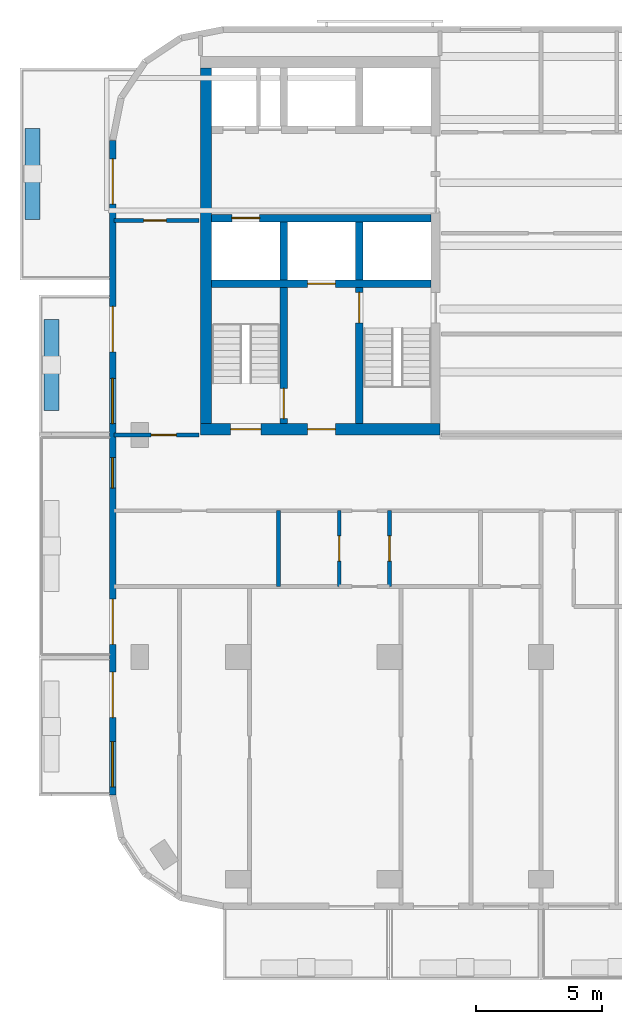
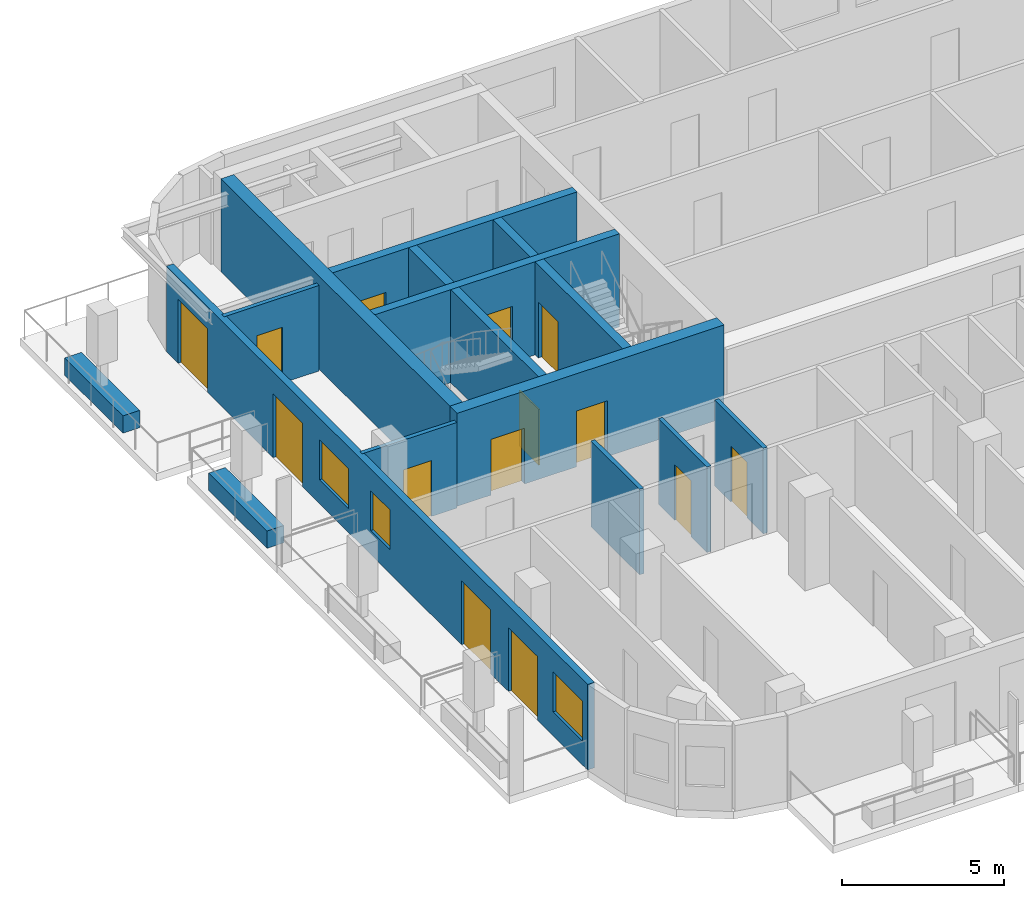
# One storey, part 3 of 11: 16 walls, 14 doors, 3 windows, 17 openings.
"""IFC4 building model written with IfcOpenShell, lengths in metres."""

from ifc_helpers import new_model, si_unit, direction, frame, frame_2d, origin, place, context, subcontext, project, spatial, rectangle, extrude, material, layer, layer_set, type_object, element, fill, save


model = new_model("IFC4")

# Units and contexts
model_context = context("Model", 3, precision=1e-05, world=origin(), true_north=direction((0.0, 1.0)))
body_context = subcontext(model_context, "Body", "Model", "MODEL_VIEW")
ifc_project = project(units=[si_unit("LENGTHUNIT", "METRE"), si_unit("AREAUNIT", "SQUARE_METRE"), si_unit("VOLUMEUNIT", "CUBIC_METRE"), si_unit("PLANEANGLEUNIT", "RADIAN"), si_unit("MASSUNIT", "GRAM", prefix="KILO")], contexts=[model_context])

# Site, building, storey
site_placement = place(None, origin())
site = spatial("IfcSite", under=ifc_project, at=site_placement, CompositionType="ELEMENT")
building_placement = place(site_placement, origin())
building = spatial("IfcBuilding", under=site, at=building_placement, Name="Torana Hotel and Residences", CompositionType="ELEMENT")
storey_placement = place(building_placement, frame((0.0, 0.0, 294.60009765625)))
storey = spatial("IfcBuildingStorey", under=building, at=storey_placement, Name="L78", CompositionType="ELEMENT", Elevation=294.60009765625)

# Wall, opening, door
ifc_material_1 = material(Name="Concrete C60/75", Category="concrete")
ifc_layer_1 = layer(ifc_material_1, 0.300048828125)
ifc_layer_set_1 = layer_set([ifc_layer_1], Name="CORE WALL 300 C60/75")
wall_type_1 = type_object("IfcWallType", Name="CORE WALL 300 C60/75", PredefinedType="SHEAR", material=ifc_layer_set_1)
wall_1_placement = place(storey_placement, frame((-19.050048828125, -6.39990234375, 0.0), z_axis=(0.0, 0.0, 1.0), x_axis=(1.0, 0.0, 0.0)))
wall_1 = element("IfcWall", 1, at=wall_1_placement, inside=storey, type_object=wall_type_1, Name="Core wall W row-S", PredefinedType="SHEAR", context=body_context, shape_type="SweptSolid", body=[
    extrude(rectangle(XDim=8.699951171875, YDim=0.300048828125, at=frame_2d((4.35009765625, 0.0))), origin(), (0.0, 0.0, 1.0), 3.5),
])
opening_1_placement = place(wall_1_placement, frame((0.800048828125, 0.0, 0.0)))
opening_1 = element("IfcOpeningElement", 2, at=opening_1_placement, cuts=wall_1, Name="Opening LD", PredefinedType="OPENING", context=body_context, shape_type="SweptSolid", body=[
    extrude(rectangle(XDim=1.10009765625, YDim=2.10009765625, at=frame_2d((0.550048828125, 1.050048828125))), frame((0.0, 0.159912109375, 0.0), z_axis=(0.0, -1.0, 0.0), x_axis=(1.0, 0.0, 0.0)), (0.0, 0.0, 1.0), 0.320068359375),
])
ifc_material_2 = material(Name="Stainless steel 316", Category="steel")
door_type_1 = type_object("IfcDoorType", Name="LIFT LANDING DOOR LD 1100x2100", OperationType="DOUBLE_DOOR_SLIDING", PredefinedType="USERDEFINED", material=ifc_material_2)
door_1_placement = place(opening_1_placement, origin())
door_1 = element("IfcDoor", 3, at=door_1_placement, inside=storey, type_object=door_type_1, Name="Lift landing door SV1 L78", ObjectType="LIFT LANDING DOOR", OperationType="DOUBLE_DOOR_SLIDING", OverallHeight=2.10009765625, OverallWidth=1.10009765625, PredefinedType="USERDEFINED", context=body_context, shape_type="SweptSolid", body=[
    extrude(rectangle(XDim=1.10009765625, YDim=2.10009765625, at=frame_2d((0.550048828125, 1.050048828125))), frame((0.0, 0.02490234375, 0.0), z_axis=(0.0, -1.0, 0.0), x_axis=(1.0, 0.0, 0.0)), (0.0, 0.0, 1.0), 0.050048828125),
])
fill(opening_1, door_1)

wall_2_placement = place(storey_placement, frame((-19.050048828125, -9.0, 0.0), z_axis=(0.0, 0.0, 1.0), x_axis=(1.0, 0.0, 0.0)))
wall_2 = element("IfcWall", 4, at=wall_2_placement, inside=storey, type_object=wall_type_1, Name="Core wall W band", PredefinedType="SHEAR", context=body_context, shape_type="SweptSolid", body=[
    extrude(rectangle(XDim=8.699951171875, YDim=0.300048828125, at=frame_2d((4.35009765625, 0.0))), origin(), (0.0, 0.0, 1.0), 3.5),
])
opening_2_placement = place(wall_2_placement, frame((3.800048828125, 0.0, 0.0)))
opening_2 = element("IfcOpeningElement", 5, at=opening_2_placement, cuts=wall_2, Name="Opening LD", PredefinedType="OPENING", context=body_context, shape_type="SweptSolid", body=[
    extrude(rectangle(XDim=1.10009765625, YDim=2.10009765625, at=frame_2d((0.550048828125, 1.050048828125))), frame((0.0, 0.159912109375, 0.0), z_axis=(0.0, -1.0, 0.0), x_axis=(1.0, 0.0, 0.0)), (0.0, 0.0, 1.0), 0.320068359375),
])
door_2_placement = place(opening_2_placement, origin())
door_2 = element("IfcDoor", 6, at=door_2_placement, inside=storey, type_object=door_type_1, Name="Lift landing door FF1 L78", ObjectType="LIFT LANDING DOOR", OperationType="DOUBLE_DOOR_SLIDING", OverallHeight=2.10009765625, OverallWidth=1.10009765625, PredefinedType="USERDEFINED", context=body_context, shape_type="SweptSolid", body=[
    extrude(rectangle(XDim=1.10009765625, YDim=2.10009765625, at=frame_2d((0.550048828125, 1.050048828125))), frame((0.0, 0.02490234375, 0.0), z_axis=(0.0, -1.0, 0.0), x_axis=(1.0, 0.0, 0.0)), (0.0, 0.0, 1.0), 0.050048828125),
])
fill(opening_2, door_2)

# Wall
wall_3_placement = place(storey_placement, frame((-13.199951171875, -8.85009765625, 0.0), z_axis=(0.0, 0.0, 1.0), x_axis=(0.0, 1.0, 0.0)))
element("IfcWall", 7, at=wall_3_placement, inside=storey, type_object=wall_type_1, Name="Core wall W x3.05-S", PredefinedType="SHEAR", context=body_context, shape_type="SweptSolid", body=[
    extrude(rectangle(XDim=2.300048828125, YDim=0.300048828125, at=frame_2d((1.14990234375, 0.0))), origin(), (0.0, 0.0, 1.0), 3.5),
])

# Wall, opening, door
wall_4_placement = place(storey_placement, frame((-13.199951171875, -14.550048828125, 0.0), z_axis=(0.0, 0.0, 1.0), x_axis=(0.0, 1.0, 0.0)))
wall_4 = element("IfcWall", 8, at=wall_4_placement, inside=storey, type_object=wall_type_1, Name="Core wall W x3.05-band", PredefinedType="SHEAR", context=body_context, shape_type="SweptSolid", body=[
    extrude(rectangle(XDim=5.400146484375, YDim=0.300048828125, at=frame_2d((2.7001953125, 0.0))), origin(), (0.0, 0.0, 1.0), 3.5),
])
opening_3_placement = place(wall_4_placement, frame((4.0, 0.0, 0.0)))
opening_3 = element("IfcOpeningElement", 9, at=opening_3_placement, cuts=wall_4, Name="Opening L78-08", PredefinedType="OPENING", context=body_context, shape_type="SweptSolid", body=[
    extrude(rectangle(XDim=1.199951171875, YDim=2.10009765625, at=frame_2d((0.60009765625, 1.050048828125))), frame((0.0, 0.159912109375, 0.0), z_axis=(0.0, -1.0, 0.0), x_axis=(1.0, 0.0, 0.0)), (0.0, 0.0, 1.0), 0.320068359375),
])
ifc_material_3 = material(Name="Steel S235", Category="steel")
door_type_2 = type_object("IfcDoorType", Name="STAIR FIRE DOOR D3 1200x2100", OperationType="SINGLE_SWING_LEFT", PredefinedType="DOOR", material=ifc_material_3)
door_3_placement = place(opening_3_placement, frame((0.60009765625, 0.0, 0.0), z_axis=(0.0, 0.0, 1.0), x_axis=(-1.0, 0.0, 0.0)))
door_3 = element("IfcDoor", 10, at=door_3_placement, inside=storey, type_object=door_type_2, Name="Stair-A-lobby door L78", OperationType="SINGLE_SWING_RIGHT", OverallHeight=2.10009765625, OverallWidth=1.199951171875, PredefinedType="DOOR", context=body_context, shape_type="SweptSolid", body=[
    extrude(rectangle(XDim=1.199951171875, YDim=2.10009765625, at=frame_2d((0.0, 1.050048828125))), frame((0.0, -0.02490234375, 0.0), z_axis=(0.0, 1.0, 0.0), x_axis=(-1.0, 0.0, 0.0)), (0.0, 0.0, 1.0), 0.050048828125),
])
fill(opening_3, door_3)

# Wall
wall_5_placement = place(storey_placement, frame((-16.199951171875, -8.85009765625, 0.0), z_axis=(0.0, 0.0, 1.0), x_axis=(0.0, 1.0, 0.0)))
element("IfcWall", 11, at=wall_5_placement, inside=storey, type_object=wall_type_1, Name="Core wall W x6.05-S", PredefinedType="SHEAR", context=body_context, shape_type="SweptSolid", body=[
    extrude(rectangle(XDim=2.300048828125, YDim=0.300048828125, at=frame_2d((1.14990234375, 0.0))), origin(), (0.0, 0.0, 1.0), 3.5),
])

# Wall, opening, door
wall_6_placement = place(storey_placement, frame((-16.199951171875, -14.550048828125, 0.0), z_axis=(0.0, 0.0, 1.0), x_axis=(0.0, 1.0, 0.0)))
wall_6 = element("IfcWall", 12, at=wall_6_placement, inside=storey, type_object=wall_type_1, Name="Core wall W x6.05-band", PredefinedType="SHEAR", context=body_context, shape_type="SweptSolid", body=[
    extrude(rectangle(XDim=5.400146484375, YDim=0.300048828125, at=frame_2d((2.7001953125, 0.0))), origin(), (0.0, 0.0, 1.0), 3.5),
])
opening_4_placement = place(wall_6_placement, frame((0.199951171875, 0.0, 0.0)))
opening_4 = element("IfcOpeningElement", 13, at=opening_4_placement, cuts=wall_6, Name="Opening L78-09", PredefinedType="OPENING", context=body_context, shape_type="SweptSolid", body=[
    extrude(rectangle(XDim=1.199951171875, YDim=2.10009765625, at=frame_2d((0.60009765625, 1.050048828125))), frame((0.0, 0.159912109375, 0.0), z_axis=(0.0, -1.0, 0.0), x_axis=(1.0, 0.0, 0.0)), (0.0, 0.0, 1.0), 0.320068359375),
])
door_4_placement = place(opening_4_placement, origin())
door_4 = element("IfcDoor", 14, at=door_4_placement, inside=storey, type_object=door_type_2, Name="Stair-B-lobby door L78", OperationType="SINGLE_SWING_RIGHT", OverallHeight=2.10009765625, OverallWidth=1.199951171875, PredefinedType="DOOR", context=body_context, shape_type="SweptSolid", body=[
    extrude(rectangle(XDim=1.199951171875, YDim=2.10009765625, at=frame_2d((0.60009765625, 1.050048828125))), frame((0.0, 0.02490234375, 0.0), z_axis=(0.0, -1.0, 0.0), x_axis=(1.0, 0.0, 0.0)), (0.0, 0.0, 1.0), 0.050048828125),
])
fill(opening_4, door_4)

# Wall, openings, doors
ifc_material_4 = material(Name="Concrete C60/75", Category="concrete")
ifc_layer_2 = layer(ifc_material_4, 0.449951171875)
ifc_layer_set_2 = layer_set([ifc_layer_2], Name="CORE WALL 450 C60/75")
wall_type_2 = type_object("IfcWallType", Name="CORE WALL 450 C60/75", PredefinedType="SHEAR", material=ifc_layer_set_2)
wall_7_placement = place(storey_placement, frame((-19.5, -14.77490234375, 0.0), z_axis=(0.0, 0.0, 1.0), x_axis=(1.0, 0.0, 0.0)))
wall_7 = element("IfcWall", 15, at=wall_7_placement, inside=storey, type_object=wall_type_2, Name="Core wall W front", PredefinedType="SHEAR", context=body_context, shape_type="SweptSolid", body=[
    extrude(rectangle(XDim=9.5, YDim=0.449951171875, at=frame_2d((4.75, 0.0))), origin(), (0.0, 0.0, 1.0), 3.5),
])
opening_5_placement = place(wall_7_placement, frame((1.199951171875, 0.0, 0.0)))
opening_5 = element("IfcOpeningElement", 16, at=opening_5_placement, cuts=wall_7, Name="Opening L78-04", PredefinedType="OPENING", context=body_context, shape_type="SweptSolid", body=[
    extrude(rectangle(XDim=1.199951171875, YDim=2.10009765625, at=frame_2d((0.60009765625, 1.050048828125))), frame((0.0, 0.23486328125, 0.0), z_axis=(0.0, -1.0, 0.0), x_axis=(1.0, 0.0, 0.0)), (0.0, 0.0, 1.0), 0.469970703125),
])
opening_6_placement = place(wall_7_placement, frame((4.25, 0.0, 0.0)))
opening_6 = element("IfcOpeningElement", 17, at=opening_6_placement, cuts=wall_7, Name="Opening L78-05", PredefinedType="OPENING", context=body_context, shape_type="SweptSolid", body=[
    extrude(rectangle(XDim=1.10009765625, YDim=2.10009765625, at=frame_2d((0.550048828125, 1.050048828125))), frame((0.0, 0.23486328125, 0.0), z_axis=(0.0, -1.0, 0.0), x_axis=(1.0, 0.0, 0.0)), (0.0, 0.0, 1.0), 0.469970703125),
])
ifc_material_5 = material(Name="Steel S235", Category="steel")
door_type_3 = type_object("IfcDoorType", Name="FIRE-FIGHTING LOBBY DOOR D8 1100x2100", OperationType="SINGLE_SWING_LEFT", PredefinedType="DOOR", material=ifc_material_5)
door_5_placement = place(opening_6_placement, origin())
door_5 = element("IfcDoor", 18, at=door_5_placement, inside=storey, type_object=door_type_3, Name="FF-lobby door L78", OperationType="SINGLE_SWING_RIGHT", OverallHeight=2.10009765625, OverallWidth=1.10009765625, PredefinedType="DOOR", context=body_context, shape_type="SweptSolid", body=[
    extrude(rectangle(XDim=1.10009765625, YDim=2.10009765625, at=frame_2d((0.550048828125, 1.050048828125))), frame((0.0, 0.02490234375, 0.0), z_axis=(0.0, -1.0, 0.0), x_axis=(1.0, 0.0, 0.0)), (0.0, 0.0, 1.0), 0.050048828125),
])
fill(opening_6, door_5)
door_6_placement = place(opening_5_placement, origin())
door_6 = element("IfcDoor", 19, at=door_6_placement, inside=storey, type_object=door_type_2, Name="Stair-B door L78", OperationType="SINGLE_SWING_RIGHT", OverallHeight=2.10009765625, OverallWidth=1.199951171875, PredefinedType="DOOR", context=body_context, shape_type="SweptSolid", body=[
    extrude(rectangle(XDim=1.199951171875, YDim=2.10009765625, at=frame_2d((0.60009765625, 1.050048828125))), frame((0.0, 0.02490234375, 0.0), z_axis=(0.0, -1.0, 0.0), x_axis=(1.0, 0.0, 0.0)), (0.0, 0.0, 1.0), 0.050048828125),
])
fill(opening_5, door_6)

# Wall
wall_8_placement = place(storey_placement, frame((-19.27490234375, -14.550048828125, 0.0), z_axis=(0.0, 0.0, 1.0), x_axis=(0.0, 1.0, 0.0)))
element("IfcWall", 20, at=wall_8_placement, inside=storey, type_object=wall_type_2, Name="Core wall W outer", PredefinedType="SHEAR", context=body_context, shape_type="SweptSolid", body=[
    extrude(rectangle(XDim=14.10009765625, YDim=0.449951171875, at=frame_2d((7.050048828125, 0.0))), origin(), (0.0, 0.0, 1.0), 3.5),
])

# Wall, openings, doors, windows
ifc_material_6 = material(Name="Black aluminium composite panel", Category="aluminium")
ifc_layer_3 = layer(ifc_material_6, 0.00390625, Name="Cladding", Category="cladding")
ifc_material_7 = material(Name="Ventilated air cavity")
ifc_layer_4 = layer(ifc_material_7, 0.0400390625, Name="Ventilated cavity", Category="cavity")
ifc_material_8 = material(Name="Mineral wool insulation")
ifc_layer_5 = layer(ifc_material_8, 0.090087890625, Name="Insulation", Category="insulation")
ifc_material_9 = material(Name="Steel S280GD", Category="steel")
ifc_layer_6 = layer(ifc_material_9, 0.092041015625, Name="Steel stud frame", Category="structure")
ifc_material_10 = material(Name="Fire rated plasterboard")
ifc_layer_7 = layer(ifc_material_10, 0.011962890625, Name="Inner board", Category="finish")
ifc_layer_8 = layer(ifc_material_10, 0.011962890625, Name="Second board", Category="finish")
ifc_layer_set_3 = layer_set([ifc_layer_3, ifc_layer_4, ifc_layer_5, ifc_layer_6, ifc_layer_7, ifc_layer_8], Name="EW1 EXTERNAL WALL BLACK METAL CLAD 250")
wall_type_3 = type_object("IfcWallType", Name="EW1 EXTERNAL WALL BLACK METAL CLAD 250", PredefinedType="SOLIDWALL", material=ifc_layer_set_3)
wall_9_placement = place(storey_placement, frame((-22.97509765625, -3.32470703125, 0.0), z_axis=(0.0, 0.0, 1.0), x_axis=(0.0, -1.0, 0.0)))
wall_9 = element("IfcWall", 21, at=wall_9_placement, inside=storey, type_object=wall_type_3, Name="External wall L78 e0.9", PredefinedType="SOLIDWALL", context=body_context, shape_type="SweptSolid", body=[
    extrude(rectangle(XDim=25.95068359375, YDim=0.25, at=frame_2d((12.975341796875, 0.0))), origin(), (0.0, 0.0, 1.0), 3.219970703125),
])
opening_7_placement = place(wall_9_placement, frame((0.725341796875, 0.0, 0.0)))
opening_7 = element("IfcOpeningElement", 22, at=opening_7_placement, cuts=wall_9, Name="Opening L78-E11", PredefinedType="OPENING", context=body_context, shape_type="SweptSolid", body=[
    extrude(rectangle(XDim=1.800048828125, YDim=2.39990234375, at=frame_2d((0.89990234375, 1.199951171875))), frame((0.0, 0.135009765625, 0.0), z_axis=(0.0, -1.0, 0.0), x_axis=(1.0, 0.0, 0.0)), (0.0, 0.0, 1.0), 0.27001953125),
])
opening_8_placement = place(wall_9_placement, frame((6.575439453125, 0.0, 0.0)))
opening_8 = element("IfcOpeningElement", 23, at=opening_8_placement, cuts=wall_9, Name="Opening L78-E12", PredefinedType="OPENING", context=body_context, shape_type="SweptSolid", body=[
    extrude(rectangle(XDim=1.800048828125, YDim=2.39990234375, at=frame_2d((0.89990234375, 1.199951171875))), frame((0.0, 0.135009765625, 0.0), z_axis=(0.0, -1.0, 0.0), x_axis=(1.0, 0.0, 0.0)), (0.0, 0.0, 1.0), 0.27001953125),
])
opening_9_placement = place(wall_9_placement, frame((9.42529296875, 0.0, 0.89990234375)))
opening_9 = element("IfcOpeningElement", 24, at=opening_9_placement, cuts=wall_9, Name="Opening W4", PredefinedType="OPENING", context=body_context, shape_type="SweptSolid", body=[
    extrude(rectangle(XDim=1.800048828125, YDim=1.5, at=frame_2d((0.89990234375, 0.75))), frame((0.0, 0.135009765625, 0.0), z_axis=(0.0, -1.0, 0.0), x_axis=(1.0, 0.0, 0.0)), (0.0, 0.0, 1.0), 0.27001953125),
])
opening_10_placement = place(wall_9_placement, frame((12.575439453125, 0.0, 0.89990234375)))
opening_10 = element("IfcOpeningElement", 25, at=opening_10_placement, cuts=wall_9, Name="Opening W5", PredefinedType="OPENING", context=body_context, shape_type="SweptSolid", body=[
    extrude(rectangle(XDim=1.199951171875, YDim=1.5, at=frame_2d((0.60009765625, 0.75))), frame((0.0, 0.135009765625, 0.0), z_axis=(0.0, -1.0, 0.0), x_axis=(1.0, 0.0, 0.0)), (0.0, 0.0, 1.0), 0.27001953125),
])
opening_11_placement = place(wall_9_placement, frame((18.17529296875, 0.0, 0.0)))
opening_11 = element("IfcOpeningElement", 26, at=opening_11_placement, cuts=wall_9, Name="Opening L78-E13", PredefinedType="OPENING", context=body_context, shape_type="SweptSolid", body=[
    extrude(rectangle(XDim=1.800048828125, YDim=2.39990234375, at=frame_2d((0.89990234375, 1.199951171875))), frame((0.0, 0.135009765625, 0.0), z_axis=(0.0, -1.0, 0.0), x_axis=(1.0, 0.0, 0.0)), (0.0, 0.0, 1.0), 0.27001953125),
])
opening_12_placement = place(wall_9_placement, frame((21.075439453125, 0.0, 0.0)))
opening_12 = element("IfcOpeningElement", 27, at=opening_12_placement, cuts=wall_9, Name="Opening L78-E14", PredefinedType="OPENING", context=body_context, shape_type="SweptSolid", body=[
    extrude(rectangle(XDim=1.800048828125, YDim=2.39990234375, at=frame_2d((0.89990234375, 1.199951171875))), frame((0.0, 0.135009765625, 0.0), z_axis=(0.0, -1.0, 0.0), x_axis=(1.0, 0.0, 0.0)), (0.0, 0.0, 1.0), 0.27001953125),
])
opening_13_placement = place(wall_9_placement, frame((23.825439453125, 0.0, 0.89990234375)))
opening_13 = element("IfcOpeningElement", 28, at=opening_13_placement, cuts=wall_9, Name="Opening W4", PredefinedType="OPENING", context=body_context, shape_type="SweptSolid", body=[
    extrude(rectangle(XDim=1.800048828125, YDim=1.5, at=frame_2d((0.89990234375, 0.75))), frame((0.0, 0.135009765625, 0.0), z_axis=(0.0, -1.0, 0.0), x_axis=(1.0, 0.0, 0.0)), (0.0, 0.0, 1.0), 0.27001953125),
])
ifc_material_11 = material(Name="Dark glass in black aluminium frame", Category="aluminium")
door_type_4 = type_object("IfcDoorType", Name="DB1 BALCONY DOOR 1800x2400", OperationType="DOUBLE_DOOR_SINGLE_SWING", PredefinedType="DOOR", material=ifc_material_11)
door_7_placement = place(opening_7_placement, origin())
door_7 = element("IfcDoor", 29, at=door_7_placement, inside=storey, type_object=door_type_4, Name="Balcony door L78", OperationType="DOUBLE_DOOR_SINGLE_SWING", OverallHeight=2.39990234375, OverallWidth=1.800048828125, PredefinedType="DOOR", context=body_context, shape_type="SweptSolid", body=[
    extrude(rectangle(XDim=1.800048828125, YDim=2.39990234375, at=frame_2d((0.89990234375, 1.199951171875))), frame((0.0, 0.02490234375, 0.0), z_axis=(0.0, -1.0, 0.0), x_axis=(1.0, 0.0, 0.0)), (0.0, 0.0, 1.0), 0.050048828125),
])
fill(opening_7, door_7)
door_8_placement = place(opening_8_placement, origin())
door_8 = element("IfcDoor", 30, at=door_8_placement, inside=storey, type_object=door_type_4, Name="Balcony door L78", OperationType="DOUBLE_DOOR_SINGLE_SWING", OverallHeight=2.39990234375, OverallWidth=1.800048828125, PredefinedType="DOOR", context=body_context, shape_type="SweptSolid", body=[
    extrude(rectangle(XDim=1.800048828125, YDim=2.39990234375, at=frame_2d((0.89990234375, 1.199951171875))), frame((0.0, 0.02490234375, 0.0), z_axis=(0.0, -1.0, 0.0), x_axis=(1.0, 0.0, 0.0)), (0.0, 0.0, 1.0), 0.050048828125),
])
fill(opening_8, door_8)
door_9_placement = place(opening_11_placement, origin())
door_9 = element("IfcDoor", 31, at=door_9_placement, inside=storey, type_object=door_type_4, Name="Balcony door L78", OperationType="DOUBLE_DOOR_SINGLE_SWING", OverallHeight=2.39990234375, OverallWidth=1.800048828125, PredefinedType="DOOR", context=body_context, shape_type="SweptSolid", body=[
    extrude(rectangle(XDim=1.800048828125, YDim=2.39990234375, at=frame_2d((0.89990234375, 1.199951171875))), frame((0.0, 0.02490234375, 0.0), z_axis=(0.0, -1.0, 0.0), x_axis=(1.0, 0.0, 0.0)), (0.0, 0.0, 1.0), 0.050048828125),
])
fill(opening_11, door_9)
door_10_placement = place(opening_12_placement, origin())
door_10 = element("IfcDoor", 32, at=door_10_placement, inside=storey, type_object=door_type_4, Name="Balcony door L78", OperationType="DOUBLE_DOOR_SINGLE_SWING", OverallHeight=2.39990234375, OverallWidth=1.800048828125, PredefinedType="DOOR", context=body_context, shape_type="SweptSolid", body=[
    extrude(rectangle(XDim=1.800048828125, YDim=2.39990234375, at=frame_2d((0.89990234375, 1.199951171875))), frame((0.0, 0.02490234375, 0.0), z_axis=(0.0, -1.0, 0.0), x_axis=(1.0, 0.0, 0.0)), (0.0, 0.0, 1.0), 0.050048828125),
])
fill(opening_12, door_10)
ifc_material_12 = material(Name="Dark glass in black aluminium frame", Category="aluminium")
window_type_1 = type_object("IfcWindowType", Name="W4 RESIDENCE WINDOW NARROW 1800x1500", PartitioningType="SINGLE_PANEL", PredefinedType="WINDOW", material=ifc_material_12)
window_1_placement = place(opening_9_placement, origin())
window_1 = element("IfcWindow", 33, at=window_1_placement, inside=storey, type_object=window_type_1, Name="Window L78", OverallHeight=1.5, OverallWidth=1.800048828125, PartitioningType="SINGLE_PANEL", PredefinedType="WINDOW", context=body_context, shape_type="SweptSolid", body=[
    extrude(rectangle(XDim=1.800048828125, YDim=1.5, at=frame_2d((0.89990234375, 0.75))), frame((0.0, 0.030029296875, 0.0), z_axis=(0.0, -1.0, 0.0), x_axis=(1.0, 0.0, 0.0)), (0.0, 0.0, 1.0), 0.06005859375),
])
fill(opening_9, window_1)
window_2_placement = place(opening_13_placement, origin())
window_2 = element("IfcWindow", 34, at=window_2_placement, inside=storey, type_object=window_type_1, Name="Window L78", OverallHeight=1.5, OverallWidth=1.800048828125, PartitioningType="SINGLE_PANEL", PredefinedType="WINDOW", context=body_context, shape_type="SweptSolid", body=[
    extrude(rectangle(XDim=1.800048828125, YDim=1.5, at=frame_2d((0.89990234375, 0.75))), frame((0.0, 0.030029296875, 0.0), z_axis=(0.0, -1.0, 0.0), x_axis=(1.0, 0.0, 0.0)), (0.0, 0.0, 1.0), 0.06005859375),
])
fill(opening_13, window_2)
ifc_material_13 = material(Name="Dark glass in black aluminium frame", Category="aluminium")
window_type_2 = type_object("IfcWindowType", Name="W5 CORNER FACET WINDOW 1200x1500", PartitioningType="SINGLE_PANEL", PredefinedType="WINDOW", material=ifc_material_13)
window_3_placement = place(opening_10_placement, origin())
window_3 = element("IfcWindow", 35, at=window_3_placement, inside=storey, type_object=window_type_2, Name="Window L78", OverallHeight=1.5, OverallWidth=1.199951171875, PartitioningType="SINGLE_PANEL", PredefinedType="WINDOW", context=body_context, shape_type="SweptSolid", body=[
    extrude(rectangle(XDim=1.199951171875, YDim=1.5, at=frame_2d((0.60009765625, 0.75))), frame((0.0, 0.030029296875, 0.0), z_axis=(0.0, -1.0, 0.0), x_axis=(1.0, 0.0, 0.0)), (0.0, 0.0, 1.0), 0.06005859375),
])
fill(opening_10, window_3)

# Wall, opening, door
ifc_material_14 = material(Name="Gypsum plaster")
ifc_layer_9 = layer(ifc_material_14, 0.014892578125, Name="Plaster", Category="finish")
ifc_material_15 = material(Name="Concrete blockwork", Category="masonry")
ifc_layer_10 = layer(ifc_material_15, 0.1201171875, Name="Blockwork", Category="structure")
ifc_layer_11 = layer(ifc_material_14, 0.014892578125, Name="Plaster", Category="finish")
ifc_layer_set_4 = layer_set([ifc_layer_9, ifc_layer_10, ifc_layer_11], Name="FIRE PARTITION 150 BLOCKWORK")
wall_type_4 = type_object("IfcWallType", Name="FIRE PARTITION 150 BLOCKWORK", PredefinedType="PARTITIONING", material=ifc_layer_set_4)
wall_10_placement = place(storey_placement, frame((-12.0, -21.0, 0.0), z_axis=(0.0, 0.0, 1.0), x_axis=(0.0, 1.0, 0.0)))
wall_10 = element("IfcWall", 36, at=wall_10_placement, inside=storey, type_object=wall_type_4, Name="Partition L78", PredefinedType="PARTITIONING", context=body_context, shape_type="SweptSolid", body=[
    extrude(rectangle(XDim=3.0, YDim=0.14990234375, at=frame_2d((1.5, 0.0))), origin(), (0.0, 0.0, 1.0), 3.219970703125),
])
opening_14_placement = place(wall_10_placement, frame((1.0, 0.0, 0.0)))
opening_14 = element("IfcOpeningElement", 37, at=opening_14_placement, cuts=wall_10, Name="Opening L78-45", PredefinedType="OPENING", context=body_context, shape_type="SweptSolid", body=[
    extrude(rectangle(XDim=1.0, YDim=2.10009765625, at=frame_2d((0.5, 1.050048828125))), frame((0.0, 0.0849609375, 0.0), z_axis=(0.0, -1.0, 0.0), x_axis=(1.0, 0.0, 0.0)), (0.0, 0.0, 1.0), 0.169921875),
])
ifc_material_16 = material(Name="Steel S235", Category="steel")
door_type_5 = type_object("IfcDoorType", Name="ENTRY FIRE DOOR D6 1000x2100", OperationType="SINGLE_SWING_LEFT", PredefinedType="DOOR", material=ifc_material_16)
door_11_placement = place(opening_14_placement, frame((0.5, 0.0, 0.0), z_axis=(0.0, 0.0, 1.0), x_axis=(-1.0, 0.0, 0.0)))
door_11 = element("IfcDoor", 38, at=door_11_placement, inside=storey, type_object=door_type_5, Name="Door L78", OperationType="SINGLE_SWING_LEFT", OverallHeight=2.10009765625, OverallWidth=1.0, PredefinedType="DOOR", context=body_context, shape_type="SweptSolid", body=[
    extrude(rectangle(XDim=1.0, YDim=2.10009765625, at=frame_2d((0.0, 1.050048828125))), frame((0.0, -0.02490234375, 0.0), z_axis=(0.0, 1.0, 0.0), x_axis=(-1.0, 0.0, 0.0)), (0.0, 0.0, 1.0), 0.050048828125),
])
fill(opening_14, door_11)

wall_11_placement = place(storey_placement, frame((-14.0, -21.0, 0.0), z_axis=(0.0, 0.0, 1.0), x_axis=(0.0, 1.0, 0.0)))
wall_11 = element("IfcWall", 39, at=wall_11_placement, inside=storey, type_object=wall_type_4, Name="Partition L78", PredefinedType="PARTITIONING", context=body_context, shape_type="SweptSolid", body=[
    extrude(rectangle(XDim=3.0, YDim=0.14990234375, at=frame_2d((1.5, 0.0))), origin(), (0.0, 0.0, 1.0), 3.219970703125),
])
opening_15_placement = place(wall_11_placement, frame((1.0, 0.0, 0.0)))
opening_15 = element("IfcOpeningElement", 40, at=opening_15_placement, cuts=wall_11, Name="Opening L78-46", PredefinedType="OPENING", context=body_context, shape_type="SweptSolid", body=[
    extrude(rectangle(XDim=1.0, YDim=2.10009765625, at=frame_2d((0.5, 1.050048828125))), frame((0.0, 0.0849609375, 0.0), z_axis=(0.0, -1.0, 0.0), x_axis=(1.0, 0.0, 0.0)), (0.0, 0.0, 1.0), 0.169921875),
])
door_12_placement = place(opening_15_placement, origin())
door_12 = element("IfcDoor", 41, at=door_12_placement, inside=storey, type_object=door_type_5, Name="Door L78", OperationType="SINGLE_SWING_RIGHT", OverallHeight=2.10009765625, OverallWidth=1.0, PredefinedType="DOOR", context=body_context, shape_type="SweptSolid", body=[
    extrude(rectangle(XDim=1.0, YDim=2.10009765625, at=frame_2d((0.5, 1.050048828125))), frame((0.0, 0.02490234375, 0.0), z_axis=(0.0, -1.0, 0.0), x_axis=(1.0, 0.0, 0.0)), (0.0, 0.0, 1.0), 0.050048828125),
])
fill(opening_15, door_12)

wall_12_placement = place(storey_placement, frame((-22.919921875, -15.0, 0.0), z_axis=(0.0, 0.0, 1.0), x_axis=(1.0, 0.0, 0.0)))
wall_12 = element("IfcWall", 42, at=wall_12_placement, inside=storey, type_object=wall_type_4, Name="Partition L78", PredefinedType="PARTITIONING", context=body_context, shape_type="SweptSolid", body=[
    extrude(rectangle(XDim=3.369873046875, YDim=0.14990234375, at=frame_2d((1.68505859375, 0.0))), origin(), (0.0, 0.0, 1.0), 3.219970703125),
])
opening_16_placement = place(wall_12_placement, frame((1.469970703125, 0.0, 0.0)))
opening_16 = element("IfcOpeningElement", 43, at=opening_16_placement, cuts=wall_12, Name="Opening L78-28", PredefinedType="OPENING", context=body_context, shape_type="SweptSolid", body=[
    extrude(rectangle(XDim=1.0, YDim=2.10009765625, at=frame_2d((0.5, 1.050048828125))), frame((0.0, 0.0849609375, 0.0), z_axis=(0.0, -1.0, 0.0), x_axis=(1.0, 0.0, 0.0)), (0.0, 0.0, 1.0), 0.169921875),
])
ifc_material_17 = material(Name="Steel S235", Category="steel")
door_type_6 = type_object("IfcDoorType", Name="CORE ROOM FIRE DOOR D14 1000x2100", OperationType="SINGLE_SWING_LEFT", PredefinedType="DOOR", material=ifc_material_17)
door_13_placement = place(opening_16_placement, origin())
door_13 = element("IfcDoor", 44, at=door_13_placement, inside=storey, type_object=door_type_6, Name="Door L78", OperationType="SINGLE_SWING_RIGHT", OverallHeight=2.10009765625, OverallWidth=1.0, PredefinedType="DOOR", context=body_context, shape_type="SweptSolid", body=[
    extrude(rectangle(XDim=1.0, YDim=2.10009765625, at=frame_2d((0.5, 1.050048828125))), frame((0.0, 0.02490234375, 0.0), z_axis=(0.0, -1.0, 0.0), x_axis=(1.0, 0.0, 0.0)), (0.0, 0.0, 1.0), 0.050048828125),
])
fill(opening_16, door_13)

# Wall
ifc_material_18 = material(Name="Gypsum plasterboard")
ifc_layer_12 = layer(ifc_material_18, 0.012451171875, Name="Plasterboard", Category="finish")
ifc_layer_13 = layer(ifc_material_18, 0.012451171875, Name="Plasterboard", Category="finish")
ifc_layer_14 = layer(ifc_material_9, 0.10009765625, Name="Steel studs with mineral wool", Category="insulation")
ifc_layer_15 = layer(ifc_material_18, 0.012451171875, Name="Plasterboard", Category="finish")
ifc_layer_16 = layer(ifc_material_18, 0.012451171875, Name="Plasterboard", Category="finish")
ifc_layer_set_5 = layer_set([ifc_layer_12, ifc_layer_13, ifc_layer_14, ifc_layer_15, ifc_layer_16], Name="PARTITION 150 PLASTERBOARD")
wall_type_5 = type_object("IfcWallType", Name="PARTITION 150 PLASTERBOARD", PredefinedType="PARTITIONING", material=ifc_layer_set_5)
wall_13_placement = place(storey_placement, frame((-16.39990234375, -21.0, 0.0), z_axis=(0.0, 0.0, 1.0), x_axis=(0.0, 1.0, 0.0)))
element("IfcWall", 45, at=wall_13_placement, inside=storey, type_object=wall_type_5, Name="Partition L78", PredefinedType="PARTITIONING", context=body_context, shape_type="SweptSolid", body=[
    extrude(rectangle(XDim=3.0, YDim=0.14990234375, at=frame_2d((1.5, 0.0))), origin(), (0.0, 0.0, 1.0), 3.219970703125),
])

# Wall, opening, door
wall_14_placement = place(storey_placement, frame((-22.919921875, -6.5, 0.0), z_axis=(0.0, 0.0, 1.0), x_axis=(1.0, 0.0, 0.0)))
wall_14 = element("IfcWall", 46, at=wall_14_placement, inside=storey, type_object=wall_type_5, Name="Partition L78", PredefinedType="PARTITIONING", context=body_context, shape_type="SweptSolid", body=[
    extrude(rectangle(XDim=3.369873046875, YDim=0.14990234375, at=frame_2d((1.68505859375, 0.0))), origin(), (0.0, 0.0, 1.0), 3.219970703125),
])
opening_17_placement = place(wall_14_placement, frame((1.169921875, 0.0, 0.0)))
opening_17 = element("IfcOpeningElement", 47, at=opening_17_placement, cuts=wall_14, Name="Opening L78-60", PredefinedType="OPENING", context=body_context, shape_type="SweptSolid", body=[
    extrude(rectangle(XDim=0.89990234375, YDim=2.10009765625, at=frame_2d((0.449951171875, 1.050048828125))), frame((0.0, 0.0849609375, 0.0), z_axis=(0.0, -1.0, 0.0), x_axis=(1.0, 0.0, 0.0)), (0.0, 0.0, 1.0), 0.169921875),
])
ifc_material_19 = material(Name="Timber door, oiled ash", Category="wood")
door_type_7 = type_object("IfcDoorType", Name="ROOM DOOR D7 900x2100", OperationType="SINGLE_SWING_LEFT", PredefinedType="DOOR", material=ifc_material_19)
door_14_placement = place(opening_17_placement, origin())
door_14 = element("IfcDoor", 48, at=door_14_placement, inside=storey, type_object=door_type_7, Name="Door L78", OperationType="SINGLE_SWING_RIGHT", OverallHeight=2.10009765625, OverallWidth=0.89990234375, PredefinedType="DOOR", context=body_context, shape_type="SweptSolid", body=[
    extrude(rectangle(XDim=0.89990234375, YDim=2.10009765625, at=frame_2d((0.449951171875, 1.050048828125))), frame((0.0, 0.02490234375, 0.0), z_axis=(0.0, -1.0, 0.0), x_axis=(1.0, 0.0, 0.0)), (0.0, 0.0, 1.0), 0.050048828125),
])
fill(opening_17, door_14)

# Walls
ifc_material_20 = material(Name="Concrete C40/50 precast", Category="concrete")
ifc_layer_17 = layer(ifc_material_20, 0.10009765625, Name="Planter shell", Category="structure")
ifc_material_21 = material(Name="Root resistant membrane")
ifc_layer_18 = layer(ifc_material_21, 0.00390625, Name="Waterproofing membrane", Category="membrane")
ifc_material_22 = material(Name="Drainage board with filter fleece")
ifc_layer_19 = layer(ifc_material_22, 0.02001953125, Name="Drainage board", Category="drainage")
ifc_material_23 = material(Name="Growing medium")
ifc_layer_20 = layer(ifc_material_23, 0.47607421875, Name="Planting substrate", Category="soil")
ifc_layer_set_6 = layer_set([ifc_layer_17, ifc_layer_18, ifc_layer_19, ifc_layer_20], Name="PL1 BALCONY PLANTER 600")
wall_type_6 = type_object("IfcWallType", Name="PL1 BALCONY PLANTER 600", PredefinedType="USERDEFINED", material=ifc_layer_set_6)
for number, where, z_axis, x_axis, name in (
    (49, (-25.39990234375, -14.02490234375, 0.0), (0.0, 0.0, 1.0), (0.0, 1.0, 0.0), "Planter 09"),
    (50, (-26.14990234375, -6.449951171875, 0.0), (0.0, 0.0, 1.0), (0.0, 1.0, 0.0), "Planter 10"),
):
    element("IfcWall", number, at=place(storey_placement, frame(where, z_axis=z_axis, x_axis=x_axis)), inside=storey, type_object=wall_type_6, Name=name, ObjectType="PLANTER", PredefinedType="USERDEFINED", context=body_context, shape_type="SweptSolid", body=[
        extrude(rectangle(XDim=3.599853515625, YDim=0.60009765625, at=frame_2d((1.7998046875, 0.0))), origin(), (0.0, 0.0, 1.0), 0.64990234375),
    ])

save(model, "model.ifc")
